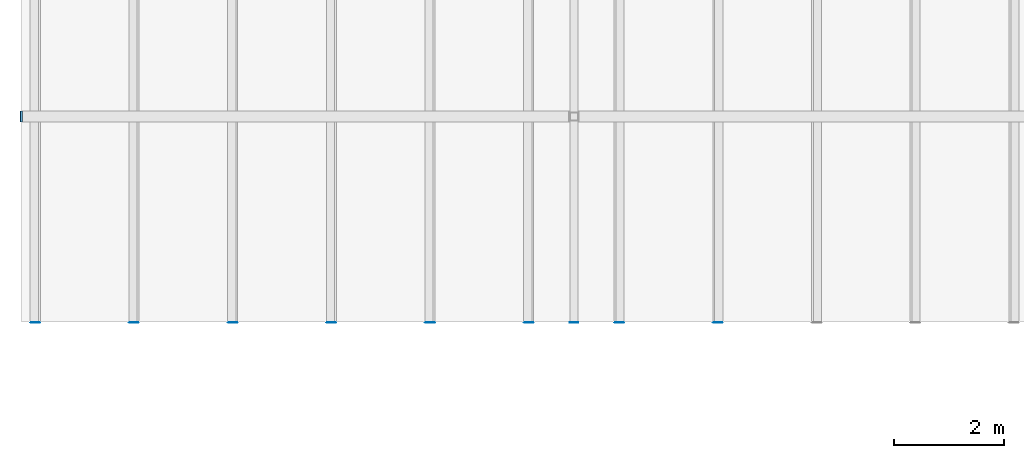
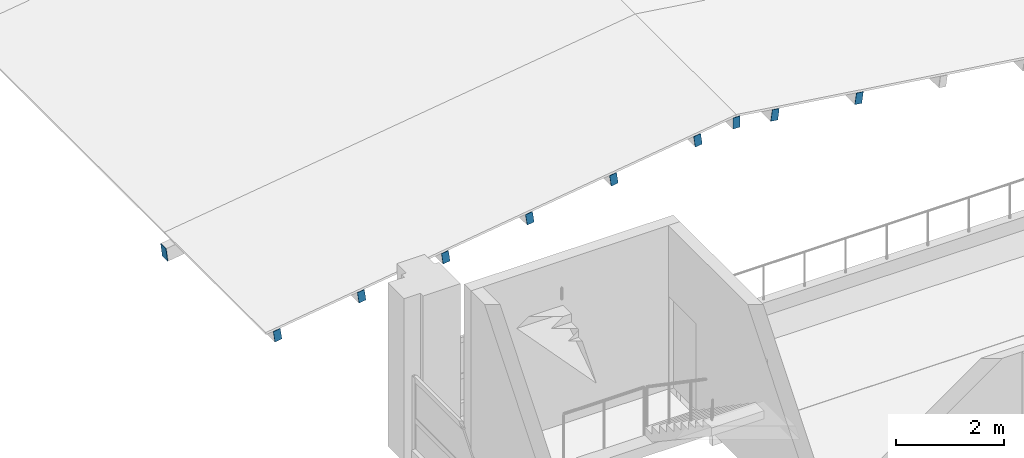
# One storey, part 27 of 52: 10 discrete accessories.
"""IFC4 building model written with IfcOpenShell, lengths in metres."""

from ifc_helpers import new_model, si_unit, direction, frame, origin, origin_2d, place, context, subcontext, project, spatial, rectangle, extrude, material, material_profile, profile_set, type_object, element, save


model = new_model("IFC4")

# Units and contexts
model_context = context("Model", 3, precision=1e-05, world=origin(), true_north=direction((0.0, 1.0)))
body_context = subcontext(model_context, "Body", "Model", "MODEL_VIEW")
ifc_project = project(units=[si_unit("LENGTHUNIT", "METRE"), si_unit("AREAUNIT", "SQUARE_METRE"), si_unit("VOLUMEUNIT", "CUBIC_METRE"), si_unit("PLANEANGLEUNIT", "RADIAN"), si_unit("MASSUNIT", "GRAM", prefix="KILO")], contexts=[model_context])

# Site, building, storey
site_placement = place(None, origin())
site = spatial("IfcSite", under=ifc_project, at=site_placement, CompositionType="ELEMENT")
building_placement = place(site_placement, origin())
building = spatial("IfcBuilding", under=site, at=building_placement, Name="Cour d'Honneur Mobility Palace", CompositionType="ELEMENT")
storey_placement = place(building_placement, frame((0.0, 0.0, 23.0)))
storey = spatial("IfcBuildingStorey", under=building, at=storey_placement, Name="L06", CompositionType="ELEMENT", Elevation=23.0)

# Discrete accessories
ifc_material_1 = material(Name="Steel S355", Category="steel")
ifc_material_profile_1 = material_profile(ifc_material_1, rectangle(XDim=0.14990234375, YDim=0.25, at=origin_2d()), Name="PL 250x150x10")
ifc_profile_set_1 = profile_set([ifc_material_profile_1], Name="Steel S355")
discrete_accessory_type_1 = type_object("IfcDiscreteAccessoryType", Name="End cap plate RHS 250x150x10", PredefinedType="USERDEFINED", material=ifc_profile_set_1)
for number, where, z_axis, x_axis, name in (
    (1, (-1.125, 66.139892578125, 0.55419921875), (0.0, 1.0, 0.0), (-0.990349673475, 0.0, -0.138591212736), "End cap plate EC-TU-C1.1-1"),
    (2, (0.675048828125, 66.139892578125, 0.80615234375), (0.0, 1.0, 0.0), (-0.990349673475, 0.0, -0.138591212736), "End cap plate EC-TU-C2.1-1"),
    (3, (2.47509765625, 66.139892578125, 1.05810546875), (0.0, 1.0, 0.0), (-0.990349673475, 0.0, -0.138591212736), "End cap plate EC-TU-C3.1-1"),
    (4, (4.27490234375, 66.139892578125, 1.309814453125), (0.0, 1.0, 0.0), (-0.990349673475, 0.0, -0.138591212736), "End cap plate EC-TU-C4.1-1"),
    (5, (6.074951171875, 66.139892578125, 1.561767578125), (0.0, 1.0, 0.0), (-0.990349673475, 0.0, -0.138591212736), "End cap plate EC-TU-C5.1-1"),
    (6, (7.875, 66.139892578125, 1.813720703125), (0.0, 1.0, 0.0), (-0.990349673475, 0.0, -0.138591212736), "End cap plate EC-TU-C6.1-1"),
    (7, (11.324951171875, 66.139892578125, 1.561767578125), (0.0, 1.0, 0.0), (-0.990349673475, 0.0, 0.138591212736), "End cap plate EC-TU-C11.1-1"),
    (8, (9.52490234375, 66.139892578125, 1.813720703125), (0.0, 1.0, 0.0), (-0.990349673475, 0.0, 0.138591212736), "End cap plate EC-TU-C12.1-1"),
    (9, (8.699951171875, 66.139892578125, 1.927978515625), (0.0, 1.0, 0.0), (-1.0, 0.0, 0.0), "End cap plate EC-TU-C13.1-1"),
):
    element("IfcDiscreteAccessory", number, at=place(storey_placement, frame(where, z_axis=z_axis, x_axis=x_axis)), inside=storey, type_object=discrete_accessory_type_1, Name=name, ObjectType="END CAP PLATE", PredefinedType="USERDEFINED", context=body_context, shape_type="SweptSolid", body=[
        extrude(rectangle(XDim=0.14990234375, YDim=0.25, at=origin_2d()), origin(), (0.0, 0.0, 1.0), 0.010009765625),
    ])
ifc_material_2 = material(Name="Steel S355", Category="steel")
ifc_material_profile_2 = material_profile(ifc_material_2, rectangle(XDim=0.199951171875, YDim=0.300048828125, at=origin_2d()), Name="PL 300x200x10")
ifc_profile_set_2 = profile_set([ifc_material_profile_2], Name="Steel S355")
discrete_accessory_type_2 = type_object("IfcDiscreteAccessoryType", Name="End cap plate RHS 300x200x12.5", PredefinedType="USERDEFINED", material=ifc_profile_set_2)
discrete_accessory_placement = place(storey_placement, frame((-1.385009765625, 69.89990234375, 0.240234375), z_axis=(0.992645877551, 0.0, 0.121054375311), x_axis=(0.0, 1.0, 0.0)))
element("IfcDiscreteAccessory", 10, at=discrete_accessory_placement, inside=storey, type_object=discrete_accessory_type_2, Name="End cap plate EC-TF-C1W-1", ObjectType="END CAP PLATE", PredefinedType="USERDEFINED", context=body_context, shape_type="SweptSolid", body=[
    extrude(rectangle(XDim=0.199951171875, YDim=0.300048828125, at=origin_2d()), origin(), (0.0, 0.0, 1.0), 0.010009765625),
])

save(model, "model.ifc")
